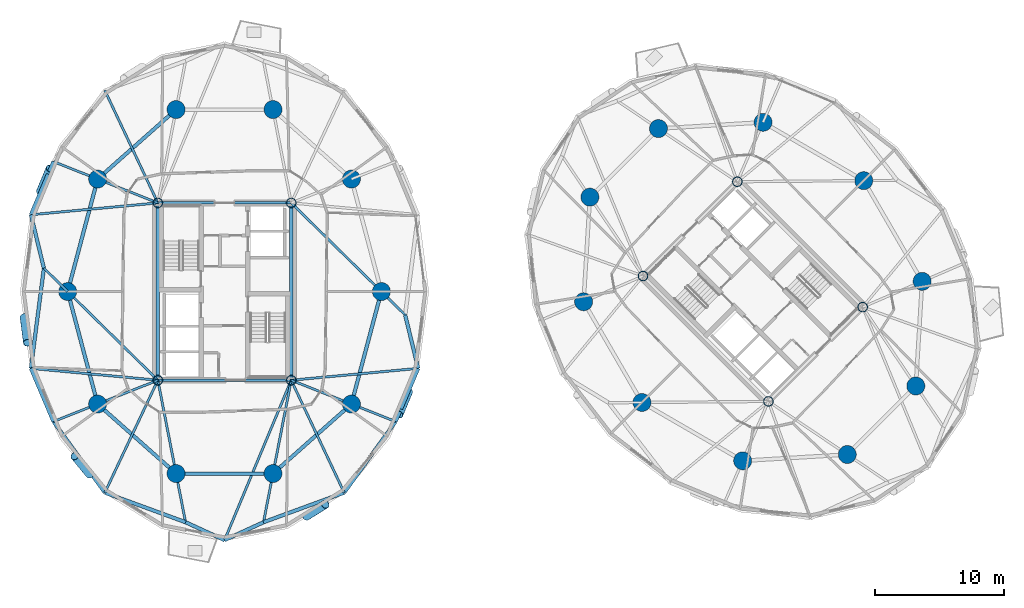
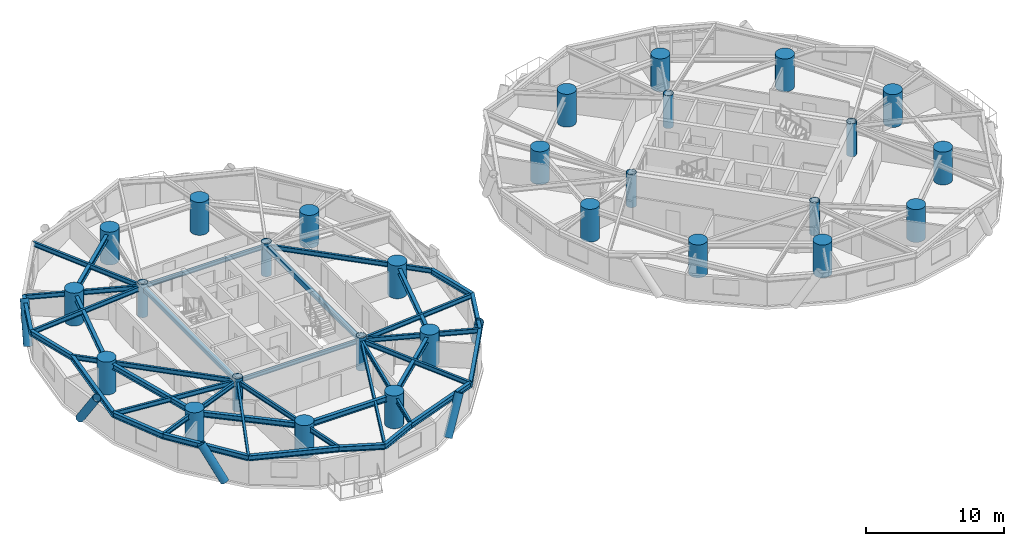
# One storey, part 1 of 17: 38 beams, 28 columns, 5 members.
"""IFC4 building model written with IfcOpenShell, lengths in metres."""

from ifc_helpers import new_model, si_unit, direction, frame, origin, origin_2d, place, context, subcontext, project, spatial, hollow_rectangle, circle, hollow_circle, i_section, extrude, material, material_profile, profile_set, type_object, element, save


model = new_model("IFC4")

# Units and contexts
model_context = context("Model", 3, precision=1e-05, world=origin(), true_north=direction((0.0, 1.0)))
body_context = subcontext(model_context, "Body", "Model", "MODEL_VIEW")
ifc_project = project(units=[si_unit("LENGTHUNIT", "METRE"), si_unit("AREAUNIT", "SQUARE_METRE"), si_unit("VOLUMEUNIT", "CUBIC_METRE"), si_unit("PLANEANGLEUNIT", "RADIAN"), si_unit("MASSUNIT", "GRAM", prefix="KILO")], contexts=[model_context])

# Site, building, storey
site_placement = place(None, origin())
site = spatial("IfcSite", under=ifc_project, at=site_placement, CompositionType="ELEMENT")
building_placement = place(site_placement, origin())
building = spatial("IfcBuilding", under=site, at=building_placement, Name="Cununo Teusaquillo Station Towers", CompositionType="ELEMENT")
storey_placement = place(building_placement, frame((0.0, 0.0, 78.8798828125)))
storey = spatial("IfcBuildingStorey", under=building, at=storey_placement, Name="L24", CompositionType="ELEMENT", Elevation=78.8798828125)

# Columns
ifc_material_1 = material(Name="Steel EN 10025-2 S355J2", Category="steel")
ifc_material_profile_1 = material_profile(ifc_material_1, hollow_circle(Radius=0.3798828125, WallThickness=0.031982421875, at=origin_2d()), Name="CHS 760x32")
ifc_profile_set_1 = profile_set([ifc_material_profile_1], Name="Steel EN 10025-2 S355J2")
column_type_1 = type_object("IfcColumnType", Name="COL-CORE-Z2", PredefinedType="COLUMN", material=ifc_profile_set_1)
for number, where, z_axis, x_axis, name in (
    (1, (11.324951171875, 17.6201171875, 0.0), (0.0, 0.0, 1.0), (1.0, 0.0, 0.0), "L24 Tower A Core Column 1"),
    (2, (11.324951171875, 31.3798828125, 0.0), (0.0, 0.0, 1.0), (1.0, 0.0, 0.0), "L24 Tower A Core Column 2"),
    (3, (21.675048828125, 17.6201171875, 0.0), (0.0, 0.0, 1.0), (1.0, 0.0, 0.0), "L24 Tower A Core Column 3"),
    (4, (21.675048828125, 31.3798828125, 0.0), (0.0, 0.0, 1.0), (1.0, 0.0, 0.0), "L24 Tower A Core Column 4"),
    (5, (58.70556640625, 15.975830078125, 0.0), (0.0, 0.0, 1.0), (0.707106781187, 0.707106781187, 0.0), "L24 Tower B Core Column 1"),
    (6, (48.975830078125, 25.70556640625, 0.0), (0.0, 0.0, 1.0), (0.707106781187, 0.707106781187, 0.0), "L24 Tower B Core Column 2"),
    (7, (66.024169921875, 23.29443359375, 0.0), (0.0, 0.0, 1.0), (0.707106781187, 0.707106781187, 0.0), "L24 Tower B Core Column 3"),
    (8, (56.29443359375, 33.024169921875, 0.0), (0.0, 0.0, 1.0), (0.707106781187, 0.707106781187, 0.0), "L24 Tower B Core Column 4"),
):
    element("IfcColumn", number, at=place(storey_placement, frame(where, z_axis=z_axis, x_axis=x_axis)), inside=storey, type_object=column_type_1, Name=name, PredefinedType="COLUMN", context=body_context, shape_type="SweptSolid", body=[
        extrude(hollow_circle(Radius=0.3798828125, WallThickness=0.031982421875, at=origin_2d()), origin(), (0.0, 0.0, 1.0), 2.91015625),
    ])
ifc_material_2 = material(Name="Concrete C60/75", Category="concrete")
ifc_material_profile_2 = material_profile(ifc_material_2, circle(Radius=0.699951171875, at=origin_2d()), Name="RC-CIRC-1400")
ifc_profile_set_2 = profile_set([ifc_material_profile_2], Name="Concrete C60/75")
column_type_2 = type_object("IfcColumnType", Name="COL-MEGA-Z2", PredefinedType="USERDEFINED", material=ifc_profile_set_2)
for number, where, z_axis, x_axis, name in (
    (9, (28.672119140625, 24.5, 0.0), (0.0, 0.0, 1.0), (1.0, 0.0, 0.0), "L24 Tower A Perimeter Column V00"),
    (10, (26.347412109375, 33.228515625, 0.0), (0.0, 0.0, 1.0), (1.0, 0.0, 0.0), "L24 Tower A Perimeter Column V02"),
    (11, (20.261474609375, 38.623291015625, 0.0), (0.0, 0.0, 1.0), (1.0, 0.0, 0.0), "L24 Tower A Perimeter Column V04"),
    (12, (12.738525390625, 38.623291015625, 0.0), (0.0, 0.0, 1.0), (1.0, 0.0, 0.0), "L24 Tower A Perimeter Column V06"),
    (13, (6.652587890625, 33.228515625, 0.0), (0.0, 0.0, 1.0), (1.0, 0.0, 0.0), "L24 Tower A Perimeter Column V08"),
    (14, (4.327880859375, 24.5, 0.0), (0.0, 0.0, 1.0), (1.0, 0.0, 0.0), "L24 Tower A Perimeter Column V10"),
    (15, (6.652587890625, 15.771484375, 0.0), (0.0, 0.0, 1.0), (1.0, 0.0, 0.0), "L24 Tower A Perimeter Column V12"),
    (16, (12.738525390625, 10.376708984375, 0.0), (0.0, 0.0, 1.0), (1.0, 0.0, 0.0), "L24 Tower A Perimeter Column V14"),
    (17, (20.261474609375, 10.376708984375, 0.0), (0.0, 0.0, 1.0), (1.0, 0.0, 0.0), "L24 Tower A Perimeter Column V16"),
    (18, (26.347412109375, 15.771484375, 0.0), (0.0, 0.0, 1.0), (1.0, 0.0, 0.0), "L24 Tower A Perimeter Column V18"),
    (19, (66.10693359375, 33.10693359375, 0.0), (0.0, 0.0, 1.0), (1.0, 0.0, 0.0), "L24 Tower B Perimeter Column V00"),
    (20, (58.291015625, 37.63525390625, 0.0), (0.0, 0.0, 1.0), (1.0, 0.0, 0.0), "L24 Tower B Perimeter Column V02"),
    (21, (50.173095703125, 37.146240234375, 0.0), (0.0, 0.0, 1.0), (1.0, 0.0, 0.0), "L24 Tower B Perimeter Column V04"),
    (22, (44.853759765625, 31.826904296875, 0.0), (0.0, 0.0, 1.0), (1.0, 0.0, 0.0), "L24 Tower B Perimeter Column V06"),
    (23, (44.36474609375, 23.708984375, 0.0), (0.0, 0.0, 1.0), (1.0, 0.0, 0.0), "L24 Tower B Perimeter Column V08"),
    (24, (48.89306640625, 15.89306640625, 0.0), (0.0, 0.0, 1.0), (1.0, 0.0, 0.0), "L24 Tower B Perimeter Column V10"),
    (25, (56.708984375, 11.36474609375, 0.0), (0.0, 0.0, 1.0), (1.0, 0.0, 0.0), "L24 Tower B Perimeter Column V12"),
    (26, (64.826904296875, 11.853759765625, 0.0), (0.0, 0.0, 1.0), (1.0, 0.0, 0.0), "L24 Tower B Perimeter Column V14"),
    (27, (70.146240234375, 17.173095703125, 0.0), (0.0, 0.0, 1.0), (1.0, 0.0, 0.0), "L24 Tower B Perimeter Column V16"),
    (28, (70.63525390625, 25.291015625, 0.0), (0.0, 0.0, 1.0), (1.0, 0.0, 0.0), "L24 Tower B Perimeter Column V18"),
):
    element("IfcColumn", number, at=place(storey_placement, frame(where, z_axis=z_axis, x_axis=x_axis)), inside=storey, type_object=column_type_2, Name=name, ObjectType="MEGA COLUMN", PredefinedType="USERDEFINED", context=body_context, shape_type="SweptSolid", body=[
        extrude(circle(Radius=0.699951171875, at=origin_2d()), origin(), (0.0, 0.0, 1.0), 2.91015625),
    ])

# Beams
ifc_material_3 = material(Name="Steel EN 10025-2 S355J2", Category="steel")
ifc_material_profile_3 = material_profile(ifc_material_3, hollow_rectangle(XDim=0.25, YDim=0.449951171875, WallThickness=0.01611328125, at=origin_2d()), Name="RHS 450x250x16")
ifc_profile_set_3 = profile_set([ifc_material_profile_3], Name="Steel EN 10025-2 S355J2")
beam_type_1 = type_object("IfcBeamType", Name="BM-COUP-1", PredefinedType="USERDEFINED", material=ifc_profile_set_3)
for number, where, z_axis, x_axis, name in (
    (29, (11.324951171875, 17.6201171875, 2.445068359375), (0.0, 1.0, 0.0), (-1.0, 0.0, 0.0), "L24 Tower A Core Beam 1"),
    (30, (21.675048828125, 17.6201171875, 2.445068359375), (0.0, 1.0, 0.0), (-1.0, 0.0, 0.0), "L24 Tower A Core Beam 2"),
):
    element("IfcBeam", number, at=place(storey_placement, frame(where, z_axis=z_axis, x_axis=x_axis)), inside=storey, type_object=beam_type_1, Name=name, ObjectType="COUPLING BEAM", PredefinedType="USERDEFINED", context=body_context, shape_type="SweptSolid", body=[
        extrude(hollow_rectangle(XDim=0.25, YDim=0.449951171875, WallThickness=0.01611328125, at=origin_2d()), origin(), (0.0, 0.0, 1.0), 13.759765625),
    ])
ifc_material_4 = material(Name="Steel ASTM A572 Grade 50", Category="steel")
ifc_material_profile_4 = material_profile(ifc_material_4, i_section(OverallWidth=0.180908203125, OverallDepth=0.4169921875, WebThickness=0.010986328125, FlangeThickness=0.018310546875, FilletRadius=0.012939453125, at=origin_2d()), Name="W16X57")
ifc_profile_set_4 = profile_set([ifc_material_profile_4], Name="Steel ASTM A572 Grade 50")
beam_type_2 = type_object("IfcBeamType", Name="BM-JOIST-1", PredefinedType="JOIST", material=ifc_profile_set_4)
beam_1_placement = place(storey_placement, frame((11.324951171875, 31.3798828125, 2.461669921875), z_axis=(-0.426319838016, 0.904572493344, 0.0), x_axis=(-0.904572493344, -0.426319838016, 0.0)))
element("IfcBeam", 31, at=beam_1_placement, inside=storey, type_object=beam_type_2, Name="L24 Tower A Radial Spandrel Joist V07", PredefinedType="JOIST", context=body_context, shape_type="SweptSolid", body=[
    extrude(i_section(OverallWidth=0.180908203125, OverallDepth=0.4169921875, WebThickness=0.010986328125, FlangeThickness=0.018310546875, FilletRadius=0.012939453125, at=origin_2d()), origin(), (0.0, 0.0, 1.0), 9.646728515625),
])
for number, where, z_axis, x_axis, name in (
    (32, (11.324951171875, 31.3798828125, 2.461669921875), (-0.995678537907, -0.09286683558, 0.0), (0.09286683558, -0.995678537907, 0.0), "L24 Tower A Radial Spandrel Joist V09"),
    (33, (11.324951171875, 17.6201171875, 2.461669921875), (-0.995678537907, 0.09286683558, 0.0), (-0.09286683558, -0.995678537907, 0.0), "L24 Tower A Radial Spandrel Joist V11"),
):
    element("IfcBeam", number, at=place(storey_placement, frame(where, z_axis=z_axis, x_axis=x_axis)), inside=storey, type_object=beam_type_2, Name=name, PredefinedType="JOIST", context=body_context, shape_type="SweptSolid", body=[
        extrude(i_section(OverallWidth=0.180908203125, OverallDepth=0.4169921875, WebThickness=0.010986328125, FlangeThickness=0.018310546875, FilletRadius=0.012939453125, at=origin_2d()), origin(), (0.0, 0.0, 1.0), 9.895263671875),
    ])
beam_2_placement = place(storey_placement, frame((11.324951171875, 17.6201171875, 2.461669921875), z_axis=(-0.426319838016, -0.904572493344, 0.0), x_axis=(0.904572493344, -0.426319838016, 0.0)))
element("IfcBeam", 34, at=beam_2_placement, inside=storey, type_object=beam_type_2, Name="L24 Tower A Radial Spandrel Joist V13", PredefinedType="JOIST", context=body_context, shape_type="SweptSolid", body=[
    extrude(i_section(OverallWidth=0.180908203125, OverallDepth=0.4169921875, WebThickness=0.010986328125, FlangeThickness=0.018310546875, FilletRadius=0.012939453125, at=origin_2d()), origin(), (0.0, 0.0, 1.0), 9.646728515625),
])
beam_3_placement = place(storey_placement, frame((21.675048828125, 17.6201171875, 2.461669921875), z_axis=(-0.38487837995, -0.922967297713, 0.0), x_axis=(0.922967297713, -0.38487837995, 0.0)))
element("IfcBeam", 35, at=beam_3_placement, inside=storey, type_object=beam_type_2, Name="L24 Tower A Radial Spandrel Joist V15", PredefinedType="JOIST", context=body_context, shape_type="SweptSolid", body=[
    extrude(i_section(OverallWidth=0.180908203125, OverallDepth=0.4169921875, WebThickness=0.010986328125, FlangeThickness=0.018310546875, FilletRadius=0.012939453125, at=origin_2d()), origin(), (0.0, 0.0, 1.0), 13.446044921875),
])
beam_4_placement = place(storey_placement, frame((21.675048828125, 17.6201171875, 2.461669921875), z_axis=(0.426319838016, -0.904572493344, 0.0), x_axis=(0.904572493344, 0.426319838016, 0.0)))
element("IfcBeam", 36, at=beam_4_placement, inside=storey, type_object=beam_type_2, Name="L24 Tower A Radial Spandrel Joist V17", PredefinedType="JOIST", context=body_context, shape_type="SweptSolid", body=[
    extrude(i_section(OverallWidth=0.180908203125, OverallDepth=0.4169921875, WebThickness=0.010986328125, FlangeThickness=0.018310546875, FilletRadius=0.012939453125, at=origin_2d()), origin(), (0.0, 0.0, 1.0), 9.646728515625),
])
beam_5_placement = place(storey_placement, frame((21.675048828125, 17.6201171875, 2.461669921875), z_axis=(0.995678537907, 0.09286683558, 0.0), x_axis=(-0.09286683558, 0.995678537907, 0.0)))
element("IfcBeam", 37, at=beam_5_placement, inside=storey, type_object=beam_type_2, Name="L24 Tower A Radial Spandrel Joist V19", PredefinedType="JOIST", context=body_context, shape_type="SweptSolid", body=[
    extrude(i_section(OverallWidth=0.180908203125, OverallDepth=0.4169921875, WebThickness=0.010986328125, FlangeThickness=0.018310546875, FilletRadius=0.012939453125, at=origin_2d()), origin(), (0.0, 0.0, 1.0), 9.895263671875),
])
ifc_material_5 = material(Name="Steel ASTM A572 Grade 50", Category="steel")
ifc_material_profile_5 = material_profile(ifc_material_5, i_section(OverallWidth=0.2041015625, OverallDepth=0.35009765625, WebThickness=0.008544921875, FlangeThickness=0.01513671875, FilletRadius=0.011962890625, at=origin_2d()), Name="W14X48")
ifc_profile_set_5 = profile_set([ifc_material_profile_5], Name="Steel ASTM A572 Grade 50")
beam_type_3 = type_object("IfcBeamType", Name="BM-LINTEL-1", PredefinedType="LINTEL", material=ifc_profile_set_5)
for number, where, z_axis, x_axis, name in (
    (38, (11.324951171875, 17.6201171875, 2.4951171875), (1.0, 0.0, 0.0), (0.0, 1.0, 0.0), "L24 Tower A Core Beam 3"),
    (39, (11.324951171875, 31.3798828125, 2.4951171875), (1.0, 0.0, 0.0), (0.0, 1.0, 0.0), "L24 Tower A Core Beam 4"),
):
    element("IfcBeam", number, at=place(storey_placement, frame(where, z_axis=z_axis, x_axis=x_axis)), inside=storey, type_object=beam_type_3, Name=name, PredefinedType="LINTEL", context=body_context, shape_type="SweptSolid", body=[
        extrude(i_section(OverallWidth=0.2041015625, OverallDepth=0.35009765625, WebThickness=0.008544921875, FlangeThickness=0.01513671875, FilletRadius=0.011962890625, at=origin_2d()), origin(), (0.0, 0.0, 1.0), 10.35009765625),
    ])
ifc_material_6 = material(Name="Steel ASTM A572 Grade 50", Category="steel")
ifc_material_profile_6 = material_profile(ifc_material_6, i_section(OverallWidth=0.180908203125, OverallDepth=0.4169921875, WebThickness=0.010986328125, FlangeThickness=0.018310546875, FilletRadius=0.012939453125, at=origin_2d()), Name="W16X57")
ifc_profile_set_6 = profile_set([ifc_material_profile_6], Name="Steel ASTM A572 Grade 50")
beam_type_4 = type_object("IfcBeamType", Name="BM-RAD-G2", PredefinedType="BEAM", material=ifc_profile_set_6)
beam_6_placement = place(storey_placement, frame((21.675048828125, 31.3798828125, 2.461669921875), z_axis=(0.713047137857, -0.701116095375, 0.0), x_axis=(0.701116095375, 0.713047137857, 0.0)))
element("IfcBeam", 40, at=beam_6_placement, inside=storey, type_object=beam_type_4, Name="L24 Tower A Continuous Overhanging Radial Girder 01", PredefinedType="BEAM", context=body_context, shape_type="SweptSolid", body=[
    extrude(i_section(OverallWidth=0.180908203125, OverallDepth=0.4169921875, WebThickness=0.010986328125, FlangeThickness=0.018310546875, FilletRadius=0.012939453125, at=origin_2d()), origin(), (0.0, 0.0, 1.0), 12.400390625),
])
beam_7_placement = place(storey_placement, frame((11.324951171875, 31.3798828125, 2.461669921875), z_axis=(-0.929863123823, 0.367905654963, 0.0), x_axis=(-0.367905654963, -0.929863123823, 0.0)))
element("IfcBeam", 41, at=beam_7_placement, inside=storey, type_object=beam_type_4, Name="L24 Tower A Continuous Overhanging Radial Girder 05", PredefinedType="BEAM", context=body_context, shape_type="SweptSolid", body=[
    extrude(i_section(OverallWidth=0.180908203125, OverallDepth=0.4169921875, WebThickness=0.010986328125, FlangeThickness=0.018310546875, FilletRadius=0.012939453125, at=origin_2d()), origin(), (0.0, 0.0, 1.0), 8.715087890625),
])
beam_8_placement = place(storey_placement, frame((11.324951171875, 17.6201171875, 2.461669921875), z_axis=(-0.713052701438, 0.701110437073, 0.0), x_axis=(-0.701110437073, -0.713052701438, 0.0)))
element("IfcBeam", 42, at=beam_8_placement, inside=storey, type_object=beam_type_4, Name="L24 Tower A Radial Girder 06A", PredefinedType="BEAM", context=body_context, shape_type="SweptSolid", body=[
    extrude(i_section(OverallWidth=0.180908203125, OverallDepth=0.4169921875, WebThickness=0.010986328125, FlangeThickness=0.018310546875, FilletRadius=0.012939453125, at=origin_2d()), origin(), (0.0, 0.0, 1.0), 9.812744140625),
])
beam_9_placement = place(storey_placement, frame((4.327880859375, 24.5, 2.461669921875), z_axis=(-0.7130260383, 0.701137553342, 0.0), x_axis=(-0.701137553342, -0.7130260383, 0.0)))
element("IfcBeam", 43, at=beam_9_placement, inside=storey, type_object=beam_type_4, Name="L24 Tower A Perimeter Overhang Girder 06B", PredefinedType="BEAM", context=body_context, shape_type="SweptSolid", body=[
    extrude(i_section(OverallWidth=0.180908203125, OverallDepth=0.4169921875, WebThickness=0.010986328125, FlangeThickness=0.018310546875, FilletRadius=0.012939453125, at=origin_2d()), origin(), (0.0, 0.0, 1.0), 2.58740234375),
])
beam_10_placement = place(storey_placement, frame((11.324951171875, 17.6201171875, 2.461669921875), z_axis=(-0.929863123823, -0.367905654963, 0.0), x_axis=(0.367905654963, -0.929863123823, 0.0)))
element("IfcBeam", 44, at=beam_10_placement, inside=storey, type_object=beam_type_4, Name="L24 Tower A Continuous Overhanging Radial Girder 07", PredefinedType="BEAM", context=body_context, shape_type="SweptSolid", body=[
    extrude(i_section(OverallWidth=0.180908203125, OverallDepth=0.4169921875, WebThickness=0.010986328125, FlangeThickness=0.018310546875, FilletRadius=0.012939453125, at=origin_2d()), origin(), (0.0, 0.0, 1.0), 8.715087890625),
])
for number, where, z_axis, x_axis, name in (
    (45, (11.324951171875, 17.6201171875, 2.461669921875), (0.191552755713, -0.981482318628, 0.0), (0.981482318628, 0.191552755713, 0.0), "L24 Tower A Continuous Overhanging Radial Girder 08"),
    (46, (21.675048828125, 17.6201171875, 2.461669921875), (-0.191552755713, -0.981482318628, 0.0), (0.981482318628, -0.191552755713, 0.0), "L24 Tower A Continuous Overhanging Radial Girder 09"),
):
    element("IfcBeam", number, at=place(storey_placement, frame(where, z_axis=z_axis, x_axis=x_axis)), inside=storey, type_object=beam_type_4, Name=name, PredefinedType="BEAM", context=body_context, shape_type="SweptSolid", body=[
        extrude(i_section(OverallWidth=0.180908203125, OverallDepth=0.4169921875, WebThickness=0.010986328125, FlangeThickness=0.018310546875, FilletRadius=0.012939453125, at=origin_2d()), origin(), (0.0, 0.0, 1.0), 11.22998046875),
    ])
beam_11_placement = place(storey_placement, frame((21.675048828125, 17.6201171875, 2.461669921875), z_axis=(0.929863123823, -0.367905654963, 0.0), x_axis=(0.367905654963, 0.929863123823, 0.0)))
element("IfcBeam", 47, at=beam_11_placement, inside=storey, type_object=beam_type_4, Name="L24 Tower A Continuous Overhanging Radial Girder 10", PredefinedType="BEAM", context=body_context, shape_type="SweptSolid", body=[
    extrude(i_section(OverallWidth=0.180908203125, OverallDepth=0.4169921875, WebThickness=0.010986328125, FlangeThickness=0.018310546875, FilletRadius=0.012939453125, at=origin_2d()), origin(), (0.0, 0.0, 1.0), 8.715087890625),
])
ifc_material_7 = material(Name="Steel ASTM A572 Grade 50", Category="steel")
ifc_material_profile_7 = material_profile(ifc_material_7, i_section(OverallWidth=0.280029296875, OverallDepth=0.462890625, WebThickness=0.0107421875, FlangeThickness=0.017333984375, FilletRadius=0.013916015625, at=origin_2d()), Name="W18X76")
ifc_profile_set_7 = profile_set([ifc_material_profile_7], Name="Steel ASTM A572 Grade 50")
beam_type_5 = type_object("IfcBeamType", Name="BM-RING-Z2", PredefinedType="SPANDREL", material=ifc_profile_set_7)
beam_12_placement = place(storey_placement, frame((12.738525390625, 38.623291015625, 2.438720703125), z_axis=(-0.74832120039, -0.66333655187, 0.0), x_axis=(0.66333655187, -0.74832120039, 0.0)))
element("IfcBeam", 48, at=beam_12_placement, inside=storey, type_object=beam_type_5, Name="L24 Tower A Structural Column Ring Girder 04", PredefinedType="SPANDREL", context=body_context, shape_type="SweptSolid", body=[
    extrude(i_section(OverallWidth=0.280029296875, OverallDepth=0.462890625, WebThickness=0.0107421875, FlangeThickness=0.017333984375, FilletRadius=0.013916015625, at=origin_2d()), origin(), (0.0, 0.0, 1.0), 8.1328125),
])
for number, where, z_axis, x_axis, name in (
    (49, (6.652587890625, 33.228515625, 2.438720703125), (-0.257363196347, -0.966314744359, 0.0), (0.966314744359, -0.257363196347, 0.0), "L24 Tower A Structural Column Ring Girder 05"),
    (50, (4.327880859375, 24.5, 2.438720703125), (0.257363196347, -0.966314744359, 0.0), (0.966314744359, 0.257363196347, 0.0), "L24 Tower A Structural Column Ring Girder 06"),
):
    element("IfcBeam", number, at=place(storey_placement, frame(where, z_axis=z_axis, x_axis=x_axis)), inside=storey, type_object=beam_type_5, Name=name, PredefinedType="SPANDREL", context=body_context, shape_type="SweptSolid", body=[
        extrude(i_section(OverallWidth=0.280029296875, OverallDepth=0.462890625, WebThickness=0.0107421875, FlangeThickness=0.017333984375, FilletRadius=0.013916015625, at=origin_2d()), origin(), (0.0, 0.0, 1.0), 9.03271484375),
    ])
beam_13_placement = place(storey_placement, frame((6.652587890625, 15.771484375, 2.438720703125), z_axis=(0.74832120039, -0.66333655187, 0.0), x_axis=(0.66333655187, 0.74832120039, 0.0)))
element("IfcBeam", 51, at=beam_13_placement, inside=storey, type_object=beam_type_5, Name="L24 Tower A Structural Column Ring Girder 07", PredefinedType="SPANDREL", context=body_context, shape_type="SweptSolid", body=[
    extrude(i_section(OverallWidth=0.280029296875, OverallDepth=0.462890625, WebThickness=0.0107421875, FlangeThickness=0.017333984375, FilletRadius=0.013916015625, at=origin_2d()), origin(), (0.0, 0.0, 1.0), 8.1328125),
])
beam_14_placement = place(storey_placement, frame((12.738525390625, 10.376708984375, 2.438720703125), z_axis=(1.0, 0.0, 0.0), x_axis=(0.0, 1.0, 0.0)))
element("IfcBeam", 52, at=beam_14_placement, inside=storey, type_object=beam_type_5, Name="L24 Tower A Structural Column Ring Girder 08", PredefinedType="SPANDREL", context=body_context, shape_type="SweptSolid", body=[
    extrude(i_section(OverallWidth=0.280029296875, OverallDepth=0.462890625, WebThickness=0.0107421875, FlangeThickness=0.017333984375, FilletRadius=0.013916015625, at=origin_2d()), origin(), (0.0, 0.0, 1.0), 7.52294921875),
])
beam_15_placement = place(storey_placement, frame((20.261474609375, 10.376708984375, 2.438720703125), z_axis=(0.74832120039, 0.66333655187, 0.0), x_axis=(-0.66333655187, 0.74832120039, 0.0)))
element("IfcBeam", 53, at=beam_15_placement, inside=storey, type_object=beam_type_5, Name="L24 Tower A Structural Column Ring Girder 09", PredefinedType="SPANDREL", context=body_context, shape_type="SweptSolid", body=[
    extrude(i_section(OverallWidth=0.280029296875, OverallDepth=0.462890625, WebThickness=0.0107421875, FlangeThickness=0.017333984375, FilletRadius=0.013916015625, at=origin_2d()), origin(), (0.0, 0.0, 1.0), 8.1328125),
])
beam_16_placement = place(storey_placement, frame((26.347412109375, 15.771484375, 2.438720703125), z_axis=(0.257363196347, 0.966314744359, 0.0), x_axis=(-0.966314744359, 0.257363196347, 0.0)))
element("IfcBeam", 54, at=beam_16_placement, inside=storey, type_object=beam_type_5, Name="L24 Tower A Structural Column Ring Girder 10", PredefinedType="SPANDREL", context=body_context, shape_type="SweptSolid", body=[
    extrude(i_section(OverallWidth=0.280029296875, OverallDepth=0.462890625, WebThickness=0.0107421875, FlangeThickness=0.017333984375, FilletRadius=0.013916015625, at=origin_2d()), origin(), (0.0, 0.0, 1.0), 9.03271484375),
])
beam_17_placement = place(storey_placement, frame((3.22119140625, 34.586181640625, 2.438720703125), z_axis=(-0.390299356049, -0.920688010494, 0.0), x_axis=(0.920688010494, -0.390299356049, 0.0)))
element("IfcBeam", 55, at=beam_17_placement, inside=storey, type_object=beam_type_5, Name="L24 Tower A Spandrel Ring Beam 09", PredefinedType="SPANDREL", context=body_context, shape_type="SweptSolid", body=[
    extrude(i_section(OverallWidth=0.280029296875, OverallDepth=0.462890625, WebThickness=0.0107421875, FlangeThickness=0.017333984375, FilletRadius=0.013916015625, at=origin_2d()), origin(), (0.0, 0.0, 1.0), 4.480712890625),
])
beam_18_placement = place(storey_placement, frame((1.472412109375, 30.4609375, 2.438720703125), z_axis=(0.236757334703, -0.971568816124, 0.0), x_axis=(0.971568816124, 0.236757334703, 0.0)))
element("IfcBeam", 56, at=beam_18_placement, inside=storey, type_object=beam_type_5, Name="L24 Tower A Spandrel Ring Beam 10", PredefinedType="SPANDREL", context=body_context, shape_type="SweptSolid", body=[
    extrude(i_section(OverallWidth=0.280029296875, OverallDepth=0.462890625, WebThickness=0.0107421875, FlangeThickness=0.017333984375, FilletRadius=0.013916015625, at=origin_2d()), origin(), (0.0, 0.0, 1.0), 4.26806640625),
])
beam_19_placement = place(storey_placement, frame((2.48291015625, 26.314208984375, 2.438720703125), z_axis=(-0.12888124113, -0.991660035337, 0.0), x_axis=(0.991660035337, -0.12888124113, 0.0)))
element("IfcBeam", 57, at=beam_19_placement, inside=storey, type_object=beam_type_5, Name="L24 Tower A Spandrel Ring Beam 11", PredefinedType="SPANDREL", context=body_context, shape_type="SweptSolid", body=[
    extrude(i_section(OverallWidth=0.280029296875, OverallDepth=0.462890625, WebThickness=0.0107421875, FlangeThickness=0.017333984375, FilletRadius=0.013916015625, at=origin_2d()), origin(), (0.0, 0.0, 1.0), 7.840576171875),
])
beam_20_placement = place(storey_placement, frame((1.472412109375, 18.5390625, 2.438720703125), z_axis=(0.390299356049, -0.920688010494, 0.0), x_axis=(0.920688010494, 0.390299356049, 0.0)))
element("IfcBeam", 58, at=beam_20_placement, inside=storey, type_object=beam_type_5, Name="L24 Tower A Spandrel Ring Beam 12", PredefinedType="SPANDREL", context=body_context, shape_type="SweptSolid", body=[
    extrude(i_section(OverallWidth=0.280029296875, OverallDepth=0.462890625, WebThickness=0.0107421875, FlangeThickness=0.017333984375, FilletRadius=0.013916015625, at=origin_2d()), origin(), (0.0, 0.0, 1.0), 4.480712890625),
])
beam_21_placement = place(storey_placement, frame((3.22119140625, 14.413818359375, 2.438720703125), z_axis=(0.58594455724, -0.810351143543, 0.0), x_axis=(0.810351143543, 0.58594455724, 0.0)))
element("IfcBeam", 59, at=beam_21_placement, inside=storey, type_object=beam_type_5, Name="L24 Tower A Spandrel Ring Beam 13", PredefinedType="SPANDREL", context=body_context, shape_type="SweptSolid", body=[
    extrude(i_section(OverallWidth=0.280029296875, OverallDepth=0.462890625, WebThickness=0.0107421875, FlangeThickness=0.017333984375, FilletRadius=0.013916015625, at=origin_2d()), origin(), (0.0, 0.0, 1.0), 6.8115234375),
])
beam_22_placement = place(storey_placement, frame((7.21240234375, 8.89404296875, 2.438720703125), z_axis=(0.938914161016, -0.34415141761, 0.0), x_axis=(0.34415141761, 0.938914161016, 0.0)))
element("IfcBeam", 60, at=beam_22_placement, inside=storey, type_object=beam_type_5, Name="L24 Tower A Spandrel Ring Beam 14", PredefinedType="SPANDREL", context=body_context, shape_type="SweptSolid", body=[
    extrude(i_section(OverallWidth=0.280029296875, OverallDepth=0.462890625, WebThickness=0.0107421875, FlangeThickness=0.017333984375, FilletRadius=0.013916015625, at=origin_2d()), origin(), (0.0, 0.0, 1.0), 6.671142578125),
])
for number, where, z_axis, x_axis, name in (
    (61, (13.47607421875, 6.59814453125, 2.438720703125), (0.908812215281, -0.417205413862, 0.0), (0.417205413862, 0.908812215281, 0.0), "L24 Tower A Spandrel Ring Beam 15"),
    (62, (16.5, 5.2099609375, 2.438720703125), (0.908812215281, 0.417205413862, 0.0), (-0.417205413862, 0.908812215281, 0.0), "L24 Tower A Spandrel Ring Beam 16"),
):
    element("IfcBeam", number, at=place(storey_placement, frame(where, z_axis=z_axis, x_axis=x_axis)), inside=storey, type_object=beam_type_5, Name=name, PredefinedType="SPANDREL", context=body_context, shape_type="SweptSolid", body=[
        extrude(i_section(OverallWidth=0.280029296875, OverallDepth=0.462890625, WebThickness=0.0107421875, FlangeThickness=0.017333984375, FilletRadius=0.013916015625, at=origin_2d()), origin(), (0.0, 0.0, 1.0), 3.327392578125),
    ])
beam_23_placement = place(storey_placement, frame((19.52392578125, 6.59814453125, 2.438720703125), z_axis=(0.938914161016, 0.34415141761, 0.0), x_axis=(-0.34415141761, 0.938914161016, 0.0)))
element("IfcBeam", 63, at=beam_23_placement, inside=storey, type_object=beam_type_5, Name="L24 Tower A Spandrel Ring Beam 17", PredefinedType="SPANDREL", context=body_context, shape_type="SweptSolid", body=[
    extrude(i_section(OverallWidth=0.280029296875, OverallDepth=0.462890625, WebThickness=0.0107421875, FlangeThickness=0.017333984375, FilletRadius=0.013916015625, at=origin_2d()), origin(), (0.0, 0.0, 1.0), 6.671142578125),
])
beam_24_placement = place(storey_placement, frame((25.78759765625, 8.89404296875, 2.438720703125), z_axis=(0.58594455724, 0.810351143543, 0.0), x_axis=(-0.810351143543, 0.58594455724, 0.0)))
element("IfcBeam", 64, at=beam_24_placement, inside=storey, type_object=beam_type_5, Name="L24 Tower A Spandrel Ring Beam 18", PredefinedType="SPANDREL", context=body_context, shape_type="SweptSolid", body=[
    extrude(i_section(OverallWidth=0.280029296875, OverallDepth=0.462890625, WebThickness=0.0107421875, FlangeThickness=0.017333984375, FilletRadius=0.013916015625, at=origin_2d()), origin(), (0.0, 0.0, 1.0), 6.8115234375),
])
beam_25_placement = place(storey_placement, frame((29.77880859375, 14.413818359375, 2.438720703125), z_axis=(0.390299356049, 0.920688010494, 0.0), x_axis=(-0.920688010494, 0.390299356049, 0.0)))
element("IfcBeam", 65, at=beam_25_placement, inside=storey, type_object=beam_type_5, Name="L24 Tower A Spandrel Ring Beam 19", PredefinedType="SPANDREL", context=body_context, shape_type="SweptSolid", body=[
    extrude(i_section(OverallWidth=0.280029296875, OverallDepth=0.462890625, WebThickness=0.0107421875, FlangeThickness=0.017333984375, FilletRadius=0.013916015625, at=origin_2d()), origin(), (0.0, 0.0, 1.0), 4.480712890625),
])
beam_26_placement = place(storey_placement, frame((31.527587890625, 18.5390625, 2.438720703125), z_axis=(-0.236757334703, 0.971568816124, 0.0), x_axis=(-0.971568816124, -0.236757334703, 0.0)))
element("IfcBeam", 66, at=beam_26_placement, inside=storey, type_object=beam_type_5, Name="L24 Tower A Spandrel Ring Beam 20", PredefinedType="SPANDREL", context=body_context, shape_type="SweptSolid", body=[
    extrude(i_section(OverallWidth=0.280029296875, OverallDepth=0.462890625, WebThickness=0.0107421875, FlangeThickness=0.017333984375, FilletRadius=0.013916015625, at=origin_2d()), origin(), (0.0, 0.0, 1.0), 4.26806640625),
])

# Members
ifc_material_8 = material(Name="Steel EN 10025-2 S355J2", Category="steel")
ifc_material_profile_8 = material_profile(ifc_material_8, hollow_circle(Radius=0.330078125, WallThickness=0.02490234375, at=origin_2d()), Name="CHS 660x25")
ifc_profile_set_8 = profile_set([ifc_material_profile_8], Name="Steel EN 10025-2 S355J2")
member_type = type_object("IfcMemberType", Name="MBR-DIAG-Z2", PredefinedType="BRACE", material=ifc_profile_set_8)
member_1_placement = place(storey_placement, frame((2.220458984375, 32.25341796875, -0.139892578125), z_axis=(0.213813667787, 0.512343325357, 0.831737958993), x_axis=(-0.922861086318, 0.385132983993, 0.0)))
element("IfcMember", 67, at=member_1_placement, inside=storey, type_object=member_type, Name="L24 Tower A Folded-Zigzag Diagrid Tube C08", PredefinedType="BRACE", context=body_context, shape_type="SweptSolid", body=[
    extrude(hollow_circle(Radius=0.330078125, WallThickness=0.02490234375, at=origin_2d()), origin(), (0.0, 0.0, 1.0), 3.49853515625),
])
member_2_placement = place(storey_placement, frame((0.956787109375, 22.512939453125, -0.139892578125), z_axis=(0.072974421894, -0.562372959635, 0.82365732439), x_axis=(0.991685812096, 0.128682749763, 0.0)))
element("IfcMember", 68, at=member_2_placement, inside=storey, type_object=member_type, Name="L24 Tower A Folded-Zigzag Diagrid Tube C10", PredefinedType="BRACE", context=body_context, shape_type="SweptSolid", body=[
    extrude(hollow_circle(Radius=0.330078125, WallThickness=0.02490234375, at=origin_2d()), origin(), (0.0, 0.0, 1.0), 3.532958984375),
])
member_3_placement = place(storey_placement, frame((6.047119140625, 10.316650390625, -0.139892578125), z_axis=(-0.338530760711, 0.4132160511, 0.845369398054), x_axis=(-0.773548952929, -0.633736552065, 0.0)))
element("IfcMember", 69, at=member_3_placement, inside=storey, type_object=member_type, Name="L24 Tower A Folded-Zigzag Diagrid Tube C12", PredefinedType="BRACE", context=body_context, shape_type="SweptSolid", body=[
    extrude(hollow_circle(Radius=0.330078125, WallThickness=0.02490234375, at=origin_2d()), origin(), (0.0, 0.0, 1.0), 3.442138671875),
])
member_4_placement = place(storey_placement, frame((22.85107421875, 7.0673828125, -0.139892578125), z_axis=(0.433768032271, 0.269824776975, 0.859674289432), x_axis=(-0.528195574716, 0.849122744278, 0.0)))
element("IfcMember", 70, at=member_4_placement, inside=storey, type_object=member_type, Name="L24 Tower A Folded-Zigzag Diagrid Tube C16", PredefinedType="BRACE", context=body_context, shape_type="SweptSolid", body=[
    extrude(hollow_circle(Radius=0.330078125, WallThickness=0.02490234375, at=origin_2d()), origin(), (0.0, 0.0, 1.0), 3.385009765625),
])
member_5_placement = place(storey_placement, frame((30.779541015625, 16.74658203125, -0.139892578125), z_axis=(-0.213813667787, -0.512343325357, 0.831737958993), x_axis=(0.922861086318, -0.385132983993, 0.0)))
element("IfcMember", 71, at=member_5_placement, inside=storey, type_object=member_type, Name="L24 Tower A Folded-Zigzag Diagrid Tube C18", PredefinedType="BRACE", context=body_context, shape_type="SweptSolid", body=[
    extrude(hollow_circle(Radius=0.330078125, WallThickness=0.02490234375, at=origin_2d()), origin(), (0.0, 0.0, 1.0), 3.49853515625),
])

save(model, "model.ifc")
